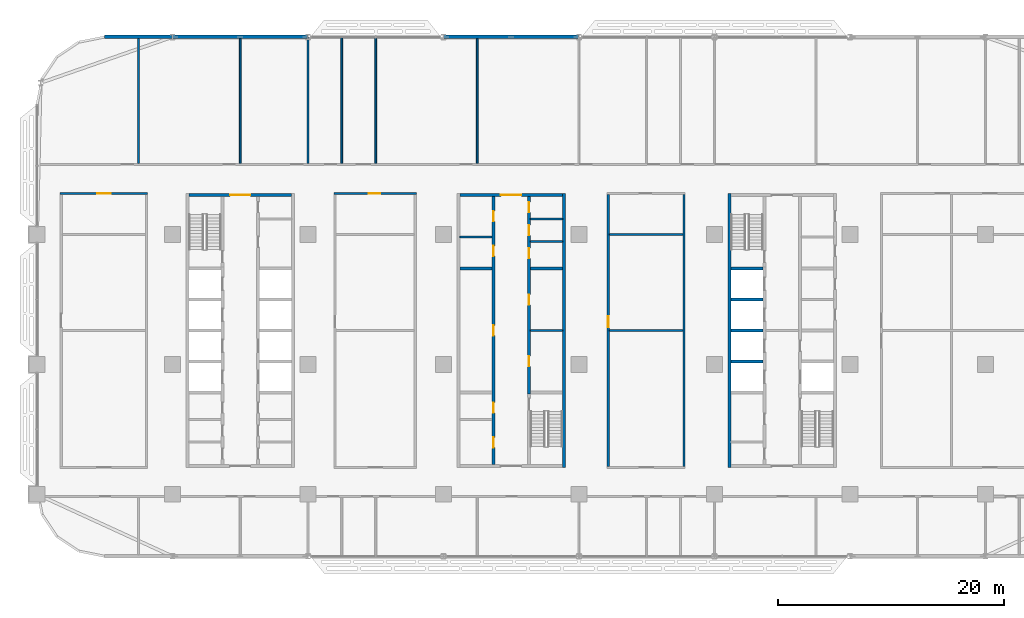
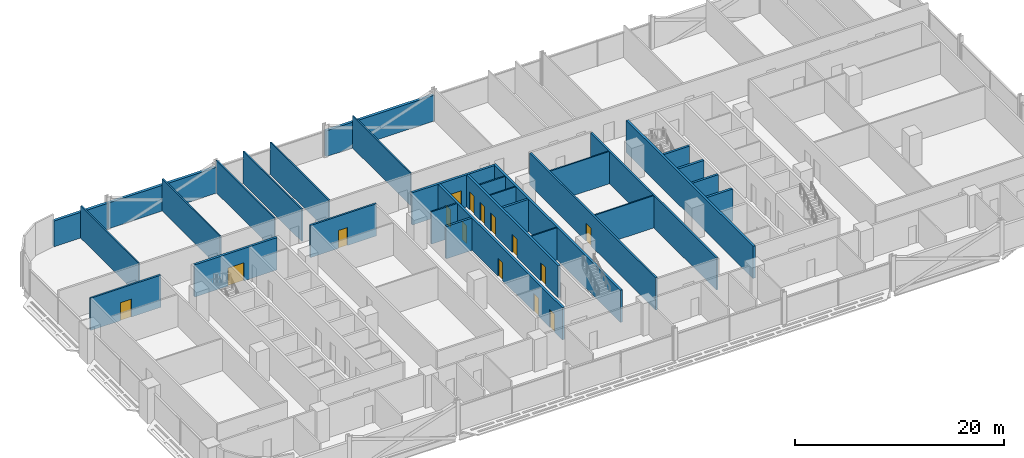
# One storey, part 14 of 29: 31 walls, 15 doors, 15 openings.
"""IFC4 building model written with IfcOpenShell, lengths in metres."""

from ifc_helpers import new_model, si_unit, direction, frame, frame_2d, origin, place, context, subcontext, project, spatial, rectangle, extrude, material, layer, layer_set, type_object, element, fill, save


model = new_model("IFC4")

# Units and contexts
model_context = context("Model", 3, precision=1e-05, world=origin(), true_north=direction((0.0, 1.0)))
body_context = subcontext(model_context, "Body", "Model", "MODEL_VIEW")
ifc_project = project(units=[si_unit("LENGTHUNIT", "METRE"), si_unit("AREAUNIT", "SQUARE_METRE"), si_unit("VOLUMEUNIT", "CUBIC_METRE"), si_unit("PLANEANGLEUNIT", "RADIAN"), si_unit("MASSUNIT", "GRAM", prefix="KILO")], contexts=[model_context])

# Site, building, storey
site_placement = place(None, origin())
site = spatial("IfcSite", under=ifc_project, at=site_placement, CompositionType="ELEMENT")
building_placement = place(site_placement, origin())
building = spatial("IfcBuilding", under=site, at=building_placement, Name="Mahtab Terrace Research Tower", CompositionType="ELEMENT")
storey_placement = place(building_placement, frame((0.0, 0.0, 109.39990234375)))
storey = spatial("IfcBuildingStorey", under=building, at=storey_placement, Name="L25", CompositionType="ELEMENT", Elevation=109.39990234375)

# Walls
ifc_material_1 = material(Name="Gypsum board partition")
ifc_layer_1 = layer(ifc_material_1, 0.14990234375)
ifc_layer_set_1 = layer_set([ifc_layer_1], Name="Core partition 150")
wall_type_1 = type_object("IfcWallType", Name="Core partition 150", PredefinedType="PARTITIONING", material=ifc_layer_set_1)
for number, where, z_axis, x_axis, name in (
    (1, (1.699951171875, 3.0, 0.0), (0.0, 0.0, 1.0), (1.0, 0.0, 0.0), "Core wall B pEL0"),
    (2, (-4.550048828125, 11.27490234375, 0.0), (0.0, 0.0, 1.0), (1.0, 0.0, 0.0), "Core wall B pWN828"),
    (3, (1.699951171875, 10.875, 0.0), (0.0, 0.0, 1.0), (1.0, 0.0, 0.0), "Core wall B pEN788"),
    (4, (1.699951171875, 12.875, 0.0), (0.0, 0.0, 1.0), (1.0, 0.0, 0.0), "Core wall B pEN988"),
):
    element("IfcWall", number, at=place(storey_placement, frame(where, z_axis=z_axis, x_axis=x_axis)), inside=storey, type_object=wall_type_1, Name=name, PredefinedType="PARTITIONING", context=body_context, shape_type="SweptSolid", body=[
        extrude(rectangle(XDim=2.85009765625, YDim=0.14990234375, at=frame_2d((1.425048828125, 0.0))), origin(), (0.0, 0.0, 1.0), 3.760009765625),
    ])

# Wall, opening, door
ifc_material_2 = material(Name="Concrete C70/85", Category="concrete")
ifc_layer_2 = layer(ifc_material_2, 0.25)
ifc_layer_set_2 = layer_set([ifc_layer_2], Name="Core wall 250")
wall_type_2 = type_object("IfcWallType", Name="Core wall 250", PredefinedType="SOLIDWALL", material=ifc_layer_set_2)
wall_1_placement = place(storey_placement, frame((-28.550048828125, 15.0, 0.0), z_axis=(0.0, 0.0, 1.0), x_axis=(1.0, 0.0, 0.0)))
wall_1 = element("IfcWall", 5, at=wall_1_placement, inside=storey, type_object=wall_type_2, Name="Core wall A endN", PredefinedType="SOLIDWALL", context=body_context, shape_type="SweptSolid", body=[
    extrude(rectangle(XDim=9.10009765625, YDim=0.25, at=frame_2d((4.550048828125, 0.0))), origin(), (0.0, 0.0, 1.0), 3.760009765625),
])
opening_1_placement = place(wall_1_placement, frame((3.64990234375, 0.0, 0.0)))
opening_1 = element("IfcOpeningElement", 6, at=opening_1_placement, cuts=wall_1, Name="Opening A-N1", PredefinedType="OPENING", context=body_context, shape_type="SweptSolid", body=[
    extrude(rectangle(XDim=1.800048828125, YDim=2.10009765625, at=frame_2d((0.89990234375, 1.050048828125))), frame((0.0, 0.135009765625, 0.0), z_axis=(0.0, -1.0, 0.0), x_axis=(1.0, 0.0, 0.0)), (0.0, 0.0, 1.0), 0.27001953125),
])
ifc_material_3 = material(Name="Steel fire door", Category="steel")
door_type_1 = type_object("IfcDoorType", Name="Lobby double door 1800x2100 1 HR", OperationType="DOUBLE_DOOR_SINGLE_SWING", PredefinedType="DOOR", material=ifc_material_3)
door_1_placement = place(opening_1_placement, origin())
door_1 = element("IfcDoor", 7, at=door_1_placement, inside=storey, type_object=door_type_1, Name="Core entrance door A N", OperationType="DOUBLE_DOOR_SINGLE_SWING", OverallHeight=2.10009765625, OverallWidth=1.800048828125, PredefinedType="DOOR", context=body_context, shape_type="SweptSolid", body=[
    extrude(rectangle(XDim=1.800048828125, YDim=2.10009765625, at=frame_2d((0.89990234375, 1.050048828125))), frame((0.0, 0.02490234375, 0.0), z_axis=(0.0, -1.0, 0.0), x_axis=(1.0, 0.0, 0.0)), (0.0, 0.0, 1.0), 0.050048828125),
])
fill(opening_1, door_1)

# Wall
wall_2_placement = place(storey_placement, frame((4.675048828125, -9.125, 0.0), z_axis=(0.0, 0.0, 1.0), x_axis=(0.0, 1.0, 0.0)))
element("IfcWall", 8, at=wall_2_placement, inside=storey, type_object=wall_type_2, Name="Core wall B outerE", PredefinedType="SOLIDWALL", context=body_context, shape_type="SweptSolid", body=[
    extrude(rectangle(XDim=24.25, YDim=0.25, at=frame_2d((12.125, 0.0))), origin(), (0.0, 0.0, 1.0), 3.760009765625),
])

# Wall, opening, door
wall_3_placement = place(storey_placement, frame((-4.550048828125, 15.0, 0.0), z_axis=(0.0, 0.0, 1.0), x_axis=(1.0, 0.0, 0.0)))
wall_3 = element("IfcWall", 9, at=wall_3_placement, inside=storey, type_object=wall_type_2, Name="Core wall B endN", PredefinedType="SOLIDWALL", context=body_context, shape_type="SweptSolid", body=[
    extrude(rectangle(XDim=9.10009765625, YDim=0.25, at=frame_2d((4.550048828125, 0.0))), origin(), (0.0, 0.0, 1.0), 3.760009765625),
])
opening_2_placement = place(wall_3_placement, frame((3.64990234375, 0.0, 0.0)))
opening_2 = element("IfcOpeningElement", 10, at=opening_2_placement, cuts=wall_3, Name="Opening B-N1", PredefinedType="OPENING", context=body_context, shape_type="SweptSolid", body=[
    extrude(rectangle(XDim=1.800048828125, YDim=2.10009765625, at=frame_2d((0.89990234375, 1.050048828125))), frame((0.0, 0.135009765625, 0.0), z_axis=(0.0, -1.0, 0.0), x_axis=(1.0, 0.0, 0.0)), (0.0, 0.0, 1.0), 0.27001953125),
])
door_2_placement = place(opening_2_placement, origin())
door_2 = element("IfcDoor", 11, at=door_2_placement, inside=storey, type_object=door_type_1, Name="Core entrance door B N", OperationType="DOUBLE_DOOR_SINGLE_SWING", OverallHeight=2.10009765625, OverallWidth=1.800048828125, PredefinedType="DOOR", context=body_context, shape_type="SweptSolid", body=[
    extrude(rectangle(XDim=1.800048828125, YDim=2.10009765625, at=frame_2d((0.89990234375, 1.050048828125))), frame((0.0, 0.02490234375, 0.0), z_axis=(0.0, -1.0, 0.0), x_axis=(1.0, 0.0, 0.0)), (0.0, 0.0, 1.0), 0.050048828125),
])
fill(opening_2, door_2)

# Wall, openings, doors
wall_4_placement = place(storey_placement, frame((-1.574951171875, -8.875, 0.0), z_axis=(0.0, 0.0, 1.0), x_axis=(0.0, 1.0, 0.0)))
wall_4 = element("IfcWall", 12, at=wall_4_placement, inside=storey, type_object=wall_type_2, Name="Core wall B innerWSLN", PredefinedType="SOLIDWALL", context=body_context, shape_type="SweptSolid", body=[
    extrude(rectangle(XDim=23.75, YDim=0.25, at=frame_2d((11.875, 0.0))), origin(), (0.0, 0.0, 1.0), 3.760009765625),
])
opening_3_placement = place(wall_4_placement, frame((11.425048828125, 0.0, 0.0)))
opening_3 = element("IfcOpeningElement", 13, at=opening_3_placement, cuts=wall_4, Name="Opening B-R1", PredefinedType="OPENING", context=body_context, shape_type="SweptSolid", body=[
    extrude(rectangle(XDim=0.89990234375, YDim=2.10009765625, at=frame_2d((0.449951171875, 1.050048828125))), frame((0.0, 0.135009765625, 0.0), z_axis=(0.0, -1.0, 0.0), x_axis=(1.0, 0.0, 0.0)), (0.0, 0.0, 1.0), 0.27001953125),
])
opening_4_placement = place(wall_4_placement, frame((1.512451171875, 0.0, 0.0)))
opening_4 = element("IfcOpeningElement", 14, at=opening_4_placement, cuts=wall_4, Name="Opening B-R4", PredefinedType="OPENING", context=body_context, shape_type="SweptSolid", body=[
    extrude(rectangle(XDim=0.89990234375, YDim=2.10009765625, at=frame_2d((0.449951171875, 1.050048828125))), frame((0.0, 0.135009765625, 0.0), z_axis=(0.0, -1.0, 0.0), x_axis=(1.0, 0.0, 0.0)), (0.0, 0.0, 1.0), 0.27001953125),
])
opening_5_placement = place(wall_4_placement, frame((4.58740234375, 0.0, 0.0)))
opening_5 = element("IfcOpeningElement", 15, at=opening_5_placement, cuts=wall_4, Name="Opening B-R5", PredefinedType="OPENING", context=body_context, shape_type="SweptSolid", body=[
    extrude(rectangle(XDim=0.89990234375, YDim=2.10009765625, at=frame_2d((0.449951171875, 1.050048828125))), frame((0.0, 0.135009765625, 0.0), z_axis=(0.0, -1.0, 0.0), x_axis=(1.0, 0.0, 0.0)), (0.0, 0.0, 1.0), 0.27001953125),
])
opening_6_placement = place(wall_4_placement, frame((18.46240234375, 0.0, 0.0)))
opening_6 = element("IfcOpeningElement", 16, at=opening_6_placement, cuts=wall_4, Name="Opening B-R6", PredefinedType="OPENING", context=body_context, shape_type="SweptSolid", body=[
    extrude(rectangle(XDim=0.89990234375, YDim=2.10009765625, at=frame_2d((0.449951171875, 1.050048828125))), frame((0.0, 0.135009765625, 0.0), z_axis=(0.0, -1.0, 0.0), x_axis=(1.0, 0.0, 0.0)), (0.0, 0.0, 1.0), 0.27001953125),
])
opening_7_placement = place(wall_4_placement, frame((21.53759765625, 0.0, 0.0)))
opening_7 = element("IfcOpeningElement", 17, at=opening_7_placement, cuts=wall_4, Name="Opening B-R7", PredefinedType="OPENING", context=body_context, shape_type="SweptSolid", body=[
    extrude(rectangle(XDim=0.89990234375, YDim=2.10009765625, at=frame_2d((0.449951171875, 1.050048828125))), frame((0.0, 0.135009765625, 0.0), z_axis=(0.0, -1.0, 0.0), x_axis=(1.0, 0.0, 0.0)), (0.0, 0.0, 1.0), 0.27001953125),
])
door_type_2 = type_object("IfcDoorType", Name="Room door 900x2100 1 HR", OperationType="NOTDEFINED", PredefinedType="DOOR", material=ifc_material_3)
door_3_placement = place(opening_3_placement, origin())
door_3 = element("IfcDoor", 18, at=door_3_placement, inside=storey, type_object=door_type_2, Name="Plant room door", OperationType="SINGLE_SWING_LEFT", OverallHeight=2.10009765625, OverallWidth=0.89990234375, PredefinedType="DOOR", context=body_context, shape_type="SweptSolid", body=[
    extrude(rectangle(XDim=0.89990234375, YDim=2.10009765625, at=frame_2d((0.449951171875, 1.050048828125))), frame((0.0, 0.02490234375, 0.0), z_axis=(0.0, -1.0, 0.0), x_axis=(1.0, 0.0, 0.0)), (0.0, 0.0, 1.0), 0.050048828125),
])
fill(opening_3, door_3)
door_4_placement = place(opening_4_placement, origin())
door_4 = element("IfcDoor", 19, at=door_4_placement, inside=storey, type_object=door_type_2, Name="IT equipment room door", OperationType="SINGLE_SWING_RIGHT", OverallHeight=2.10009765625, OverallWidth=0.89990234375, PredefinedType="DOOR", context=body_context, shape_type="SweptSolid", body=[
    extrude(rectangle(XDim=0.89990234375, YDim=2.10009765625, at=frame_2d((0.449951171875, 1.050048828125))), frame((0.0, 0.02490234375, 0.0), z_axis=(0.0, -1.0, 0.0), x_axis=(1.0, 0.0, 0.0)), (0.0, 0.0, 1.0), 0.050048828125),
])
fill(opening_4, door_4)
door_5_placement = place(opening_5_placement, origin())
door_5 = element("IfcDoor", 20, at=door_5_placement, inside=storey, type_object=door_type_2, Name="Electrical riser room door", OperationType="SINGLE_SWING_LEFT", OverallHeight=2.10009765625, OverallWidth=0.89990234375, PredefinedType="DOOR", context=body_context, shape_type="SweptSolid", body=[
    extrude(rectangle(XDim=0.89990234375, YDim=2.10009765625, at=frame_2d((0.449951171875, 1.050048828125))), frame((0.0, 0.02490234375, 0.0), z_axis=(0.0, -1.0, 0.0), x_axis=(1.0, 0.0, 0.0)), (0.0, 0.0, 1.0), 0.050048828125),
])
fill(opening_5, door_5)
door_6_placement = place(opening_6_placement, origin())
door_6 = element("IfcDoor", 21, at=door_6_placement, inside=storey, type_object=door_type_2, Name="Mechanical riser room door", OperationType="SINGLE_SWING_RIGHT", OverallHeight=2.10009765625, OverallWidth=0.89990234375, PredefinedType="DOOR", context=body_context, shape_type="SweptSolid", body=[
    extrude(rectangle(XDim=0.89990234375, YDim=2.10009765625, at=frame_2d((0.449951171875, 1.050048828125))), frame((0.0, 0.02490234375, 0.0), z_axis=(0.0, -1.0, 0.0), x_axis=(1.0, 0.0, 0.0)), (0.0, 0.0, 1.0), 0.050048828125),
])
fill(opening_6, door_6)
door_7_placement = place(opening_7_placement, origin())
door_7 = element("IfcDoor", 22, at=door_7_placement, inside=storey, type_object=door_type_2, Name="Chemical store door", OperationType="SINGLE_SWING_LEFT", OverallHeight=2.10009765625, OverallWidth=0.89990234375, PredefinedType="DOOR", context=body_context, shape_type="SweptSolid", body=[
    extrude(rectangle(XDim=0.89990234375, YDim=2.10009765625, at=frame_2d((0.449951171875, 1.050048828125))), frame((0.0, 0.02490234375, 0.0), z_axis=(0.0, -1.0, 0.0), x_axis=(1.0, 0.0, 0.0)), (0.0, 0.0, 1.0), 0.050048828125),
])
fill(opening_7, door_7)

wall_5_placement = place(storey_placement, frame((1.574951171875, 14.875, 0.0), z_axis=(0.0, 0.0, 1.0), x_axis=(0.0, -1.0, 0.0)))
wall_5 = element("IfcWall", 23, at=wall_5_placement, inside=storey, type_object=wall_type_2, Name="Core wall B innerELN", PredefinedType="SOLIDWALL", context=body_context, shape_type="SweptSolid", body=[
    extrude(rectangle(XDim=17.5, YDim=0.25, at=frame_2d((8.75, 0.0))), origin(), (0.0, 0.0, 1.0), 3.760009765625),
])
opening_8_placement = place(wall_5_placement, frame((14.14990234375, 0.0, 0.0)))
opening_8 = element("IfcOpeningElement", 24, at=opening_8_placement, cuts=wall_5, Name="Opening B-R2", PredefinedType="OPENING", context=body_context, shape_type="SweptSolid", body=[
    extrude(rectangle(XDim=0.89990234375, YDim=2.10009765625, at=frame_2d((0.449951171875, 1.050048828125))), frame((0.0, 0.135009765625, 0.0), z_axis=(0.0, -1.0, 0.0), x_axis=(1.0, 0.0, 0.0)), (0.0, 0.0, 1.0), 0.27001953125),
])
opening_9_placement = place(wall_5_placement, frame((8.699951171875, 0.0, 0.0)))
opening_9 = element("IfcOpeningElement", 25, at=opening_9_placement, cuts=wall_5, Name="Opening B-R3", PredefinedType="OPENING", context=body_context, shape_type="SweptSolid", body=[
    extrude(rectangle(XDim=0.89990234375, YDim=2.10009765625, at=frame_2d((0.449951171875, 1.050048828125))), frame((0.0, 0.135009765625, 0.0), z_axis=(0.0, -1.0, 0.0), x_axis=(1.0, 0.0, 0.0)), (0.0, 0.0, 1.0), 0.27001953125),
])
opening_10_placement = place(wall_5_placement, frame((4.58740234375, 0.0, 0.0)))
opening_10 = element("IfcOpeningElement", 26, at=opening_10_placement, cuts=wall_5, Name="Opening B-R8", PredefinedType="OPENING", context=body_context, shape_type="SweptSolid", body=[
    extrude(rectangle(XDim=0.89990234375, YDim=2.10009765625, at=frame_2d((0.449951171875, 1.050048828125))), frame((0.0, 0.135009765625, 0.0), z_axis=(0.0, -1.0, 0.0), x_axis=(1.0, 0.0, 0.0)), (0.0, 0.0, 1.0), 0.27001953125),
])
opening_11_placement = place(wall_5_placement, frame((2.550048828125, 0.0, 0.0)))
opening_11 = element("IfcOpeningElement", 27, at=opening_11_placement, cuts=wall_5, Name="Opening B-R9", PredefinedType="OPENING", context=body_context, shape_type="SweptSolid", body=[
    extrude(rectangle(XDim=0.89990234375, YDim=2.10009765625, at=frame_2d((0.449951171875, 1.050048828125))), frame((0.0, 0.135009765625, 0.0), z_axis=(0.0, -1.0, 0.0), x_axis=(1.0, 0.0, 0.0)), (0.0, 0.0, 1.0), 0.27001953125),
])
opening_12_placement = place(wall_5_placement, frame((0.512451171875, 0.0, 0.0)))
opening_12 = element("IfcOpeningElement", 28, at=opening_12_placement, cuts=wall_5, Name="Opening B-R10", PredefinedType="OPENING", context=body_context, shape_type="SweptSolid", body=[
    extrude(rectangle(XDim=0.89990234375, YDim=2.10009765625, at=frame_2d((0.449951171875, 1.050048828125))), frame((0.0, 0.135009765625, 0.0), z_axis=(0.0, -1.0, 0.0), x_axis=(1.0, 0.0, 0.0)), (0.0, 0.0, 1.0), 0.27001953125),
])
door_8_placement = place(opening_8_placement, origin())
door_8 = element("IfcDoor", 29, at=door_8_placement, inside=storey, type_object=door_type_2, Name="Document store door", OperationType="SINGLE_SWING_RIGHT", OverallHeight=2.10009765625, OverallWidth=0.89990234375, PredefinedType="DOOR", context=body_context, shape_type="SweptSolid", body=[
    extrude(rectangle(XDim=0.89990234375, YDim=2.10009765625, at=frame_2d((0.449951171875, 1.050048828125))), frame((0.0, 0.02490234375, 0.0), z_axis=(0.0, -1.0, 0.0), x_axis=(1.0, 0.0, 0.0)), (0.0, 0.0, 1.0), 0.050048828125),
])
fill(opening_8, door_8)
door_9_placement = place(opening_9_placement, origin())
door_9 = element("IfcDoor", 30, at=door_9_placement, inside=storey, type_object=door_type_2, Name="IT equipment room door", OperationType="SINGLE_SWING_LEFT", OverallHeight=2.10009765625, OverallWidth=0.89990234375, PredefinedType="DOOR", context=body_context, shape_type="SweptSolid", body=[
    extrude(rectangle(XDim=0.89990234375, YDim=2.10009765625, at=frame_2d((0.449951171875, 1.050048828125))), frame((0.0, 0.02490234375, 0.0), z_axis=(0.0, -1.0, 0.0), x_axis=(1.0, 0.0, 0.0)), (0.0, 0.0, 1.0), 0.050048828125),
])
fill(opening_9, door_9)
door_10_placement = place(opening_10_placement, origin())
door_10 = element("IfcDoor", 31, at=door_10_placement, inside=storey, type_object=door_type_2, Name="Male WC door", OperationType="SINGLE_SWING_RIGHT", OverallHeight=2.10009765625, OverallWidth=0.89990234375, PredefinedType="DOOR", context=body_context, shape_type="SweptSolid", body=[
    extrude(rectangle(XDim=0.89990234375, YDim=2.10009765625, at=frame_2d((0.449951171875, 1.050048828125))), frame((0.0, 0.02490234375, 0.0), z_axis=(0.0, -1.0, 0.0), x_axis=(1.0, 0.0, 0.0)), (0.0, 0.0, 1.0), 0.050048828125),
])
fill(opening_10, door_10)
door_11_placement = place(opening_11_placement, origin())
door_11 = element("IfcDoor", 32, at=door_11_placement, inside=storey, type_object=door_type_2, Name="Female WC door", OperationType="SINGLE_SWING_LEFT", OverallHeight=2.10009765625, OverallWidth=0.89990234375, PredefinedType="DOOR", context=body_context, shape_type="SweptSolid", body=[
    extrude(rectangle(XDim=0.89990234375, YDim=2.10009765625, at=frame_2d((0.449951171875, 1.050048828125))), frame((0.0, 0.02490234375, 0.0), z_axis=(0.0, -1.0, 0.0), x_axis=(1.0, 0.0, 0.0)), (0.0, 0.0, 1.0), 0.050048828125),
])
fill(opening_11, door_11)
door_12_placement = place(opening_12_placement, origin())
door_12 = element("IfcDoor", 33, at=door_12_placement, inside=storey, type_object=door_type_2, Name="Accessible WC door", OperationType="SINGLE_SWING_RIGHT", OverallHeight=2.10009765625, OverallWidth=0.89990234375, PredefinedType="DOOR", context=body_context, shape_type="SweptSolid", body=[
    extrude(rectangle(XDim=0.89990234375, YDim=2.10009765625, at=frame_2d((0.449951171875, 1.050048828125))), frame((0.0, 0.02490234375, 0.0), z_axis=(0.0, -1.0, 0.0), x_axis=(1.0, 0.0, 0.0)), (0.0, 0.0, 1.0), 0.050048828125),
])
fill(opening_12, door_12)

# Walls
for number, where, z_axis, x_axis, name in (
    (34, (-4.550048828125, 8.5, 0.0), (0.0, 0.0, 1.0), (1.0, 0.0, 0.0), "Core wall B divW4"),
    (35, (1.699951171875, 8.5, 0.0), (0.0, 0.0, 1.0), (1.0, 0.0, 0.0), "Core wall B divE4"),
):
    element("IfcWall", number, at=place(storey_placement, frame(where, z_axis=z_axis, x_axis=x_axis)), inside=storey, type_object=wall_type_2, Name=name, PredefinedType="SOLIDWALL", context=body_context, shape_type="SweptSolid", body=[
        extrude(rectangle(XDim=2.85009765625, YDim=0.25, at=frame_2d((1.425048828125, 0.0))), origin(), (0.0, 0.0, 1.0), 3.760009765625),
    ])
wall_6_placement = place(storey_placement, frame((19.324951171875, 15.125, 0.0), z_axis=(0.0, 0.0, 1.0), x_axis=(0.0, -1.0, 0.0)))
element("IfcWall", 36, at=wall_6_placement, inside=storey, type_object=wall_type_2, Name="Core wall C outerW", PredefinedType="SOLIDWALL", context=body_context, shape_type="SweptSolid", body=[
    extrude(rectangle(XDim=24.25, YDim=0.25, at=frame_2d((12.125, 0.0))), origin(), (0.0, 0.0, 1.0), 3.760009765625),
])
for number, where, z_axis, x_axis, name in (
    (37, (19.449951171875, 0.25, 0.0), (0.0, 0.0, 1.0), (1.0, 0.0, 0.0), "Core wall C divW1"),
    (38, (19.449951171875, 3.0, 0.0), (0.0, 0.0, 1.0), (1.0, 0.0, 0.0), "Core wall C divW2"),
    (39, (19.449951171875, 5.75, 0.0), (0.0, 0.0, 1.0), (1.0, 0.0, 0.0), "Core wall C divW3"),
    (40, (19.449951171875, 8.5, 0.0), (0.0, 0.0, 1.0), (1.0, 0.0, 0.0), "Core wall C divW4"),
):
    element("IfcWall", number, at=place(storey_placement, frame(where, z_axis=z_axis, x_axis=x_axis)), inside=storey, type_object=wall_type_2, Name=name, PredefinedType="SOLIDWALL", context=body_context, shape_type="SweptSolid", body=[
        extrude(rectangle(XDim=2.85009765625, YDim=0.25, at=frame_2d((1.425048828125, 0.0))), origin(), (0.0, 0.0, 1.0), 3.760009765625),
    ])
ifc_material_4 = material(Name="Black aluminium cladding panel", Category="aluminium")
ifc_layer_3 = layer(ifc_material_4, 0.300048828125)
ifc_layer_set_3 = layer_set([ifc_layer_3], Name="Opaque facade wall 300")
wall_type_3 = type_object("IfcWallType", Name="Opaque facade wall 300", PredefinedType="NOTDEFINED", material=ifc_layer_set_3)
for number, where, z_axis, x_axis, name in (
    (41, (5.97900390625, 29.0, 0.0), (0.0, 0.0, 1.0), (-1.0, 0.0, 0.0), "Opaque facade wall L25 N7"),
    (42, (-18.02099609375, 29.0, 0.0), (0.0, 0.0, 1.0), (-1.0, 0.0, 0.0), "Opaque facade wall L25 N9"),
):
    element("IfcWall", number, at=place(storey_placement, frame(where, z_axis=z_axis, x_axis=x_axis)), inside=storey, type_object=wall_type_3, Name=name, PredefinedType="NOTDEFINED", context=body_context, shape_type="SweptSolid", body=[
        extrude(rectangle(XDim=11.9580078125, YDim=0.300048828125, at=frame_2d((5.97900390625, 0.0))), origin(), (0.0, 0.0, 1.0), 3.003173828125),
    ])
wall_7_placement = place(storey_placement, frame((-30.02099609375, 29.0, 0.0), z_axis=(0.0, 0.0, 1.0), x_axis=(-1.0, 0.0, 0.0)))
element("IfcWall", 43, at=wall_7_placement, inside=storey, type_object=wall_type_3, Name="Opaque facade wall L25 N10", PredefinedType="NOTDEFINED", context=body_context, shape_type="SweptSolid", body=[
    extrude(rectangle(XDim=5.97900390625, YDim=0.300048828125, at=frame_2d((2.989501953125, 0.0))), origin(), (0.0, 0.0, 1.0), 3.003173828125),
])

# Wall, opening, door
ifc_material_5 = material(Name="Gypsum board corridor wall on steel studs", Category="steel")
ifc_layer_4 = layer(ifc_material_5, 0.199951171875)
ifc_layer_set_4 = layer_set([ifc_layer_4], Name="WALL CORRIDOR 200")
wall_type_4 = type_object("IfcWallType", Name="WALL CORRIDOR 200", PredefinedType="PARTITIONING", material=ifc_layer_set_4)
wall_8_placement = place(storey_placement, frame((-39.949951171875, 15.125, 0.0), z_axis=(0.0, 0.0, 1.0), x_axis=(1.0, 0.0, 0.0)))
wall_8 = element("IfcWall", 44, at=wall_8_placement, inside=storey, type_object=wall_type_4, Name="L25-W022", PredefinedType="PARTITIONING", context=body_context, shape_type="SweptSolid", body=[
    extrude(rectangle(XDim=7.75, YDim=0.199951171875, at=frame_2d((3.875, 0.0))), origin(), (0.0, 0.0, 1.0), 3.760009765625),
])
opening_13_placement = place(wall_8_placement, frame((3.300048828125, 0.0, 0.0)))
opening_13 = element("IfcOpeningElement", 45, at=opening_13_placement, cuts=wall_8, Name="Opening L25-127", PredefinedType="OPENING", context=body_context, shape_type="SweptSolid", body=[
    extrude(rectangle(XDim=1.199951171875, YDim=2.10009765625, at=frame_2d((0.60009765625, 1.050048828125))), frame((0.0, 0.10986328125, 0.0), z_axis=(0.0, -1.0, 0.0), x_axis=(1.0, 0.0, 0.0)), (0.0, 0.0, 1.0), 0.219970703125),
])
ifc_material_6 = material(Name="Timber door leaf in steel frame", Category="steel")
door_type_3 = type_object("IfcDoorType", Name="DOOR 1200X2100 FD30S", OperationType="SINGLE_SWING_LEFT", PredefinedType="DOOR", material=ifc_material_6)
door_13_placement = place(opening_13_placement, origin())
door_13 = element("IfcDoor", 46, at=door_13_placement, inside=storey, type_object=door_type_3, Name="Door L25-127", OperationType="SINGLE_SWING_LEFT", OverallHeight=2.10009765625, OverallWidth=1.199951171875, PredefinedType="DOOR", context=body_context, shape_type="SweptSolid", body=[
    extrude(rectangle(XDim=1.199951171875, YDim=2.10009765625, at=frame_2d((0.60009765625, 1.050048828125))), frame((0.0, 0.02490234375, 0.0), z_axis=(0.0, -1.0, 0.0), x_axis=(1.0, 0.0, 0.0)), (0.0, 0.0, 1.0), 0.050048828125),
])
fill(opening_13, door_13)

wall_9_placement = place(storey_placement, frame((-15.699951171875, 15.125, 0.0), z_axis=(0.0, 0.0, 1.0), x_axis=(1.0, 0.0, 0.0)))
wall_9 = element("IfcWall", 47, at=wall_9_placement, inside=storey, type_object=wall_type_4, Name="L25-W023", PredefinedType="PARTITIONING", context=body_context, shape_type="SweptSolid", body=[
    extrude(rectangle(XDim=7.300048828125, YDim=0.199951171875, at=frame_2d((3.64990234375, 0.0))), origin(), (0.0, 0.0, 1.0), 3.760009765625),
])
opening_14_placement = place(wall_9_placement, frame((3.10009765625, 0.0, 0.0)))
opening_14 = element("IfcOpeningElement", 48, at=opening_14_placement, cuts=wall_9, Name="Opening L25-128", PredefinedType="OPENING", context=body_context, shape_type="SweptSolid", body=[
    extrude(rectangle(XDim=1.0, YDim=2.10009765625, at=frame_2d((0.5, 1.050048828125))), frame((0.0, 0.10986328125, 0.0), z_axis=(0.0, -1.0, 0.0), x_axis=(1.0, 0.0, 0.0)), (0.0, 0.0, 1.0), 0.219970703125),
])
door_type_4 = type_object("IfcDoorType", Name="DOOR 1000X2100 FD30S", OperationType="SINGLE_SWING_LEFT", PredefinedType="DOOR", material=ifc_material_6)
door_14_placement = place(opening_14_placement, origin())
door_14 = element("IfcDoor", 49, at=door_14_placement, inside=storey, type_object=door_type_4, Name="Door L25-128", OperationType="SINGLE_SWING_RIGHT", OverallHeight=2.10009765625, OverallWidth=1.0, PredefinedType="DOOR", context=body_context, shape_type="SweptSolid", body=[
    extrude(rectangle(XDim=1.0, YDim=2.10009765625, at=frame_2d((0.5, 1.050048828125))), frame((0.0, 0.02490234375, 0.0), z_axis=(0.0, -1.0, 0.0), x_axis=(1.0, 0.0, 0.0)), (0.0, 0.0, 1.0), 0.050048828125),
])
fill(opening_14, door_14)

wall_10_placement = place(storey_placement, frame((8.60009765625, -9.02490234375, 0.0), z_axis=(0.0, 0.0, 1.0), x_axis=(0.0, 1.0, 0.0)))
wall_10 = element("IfcWall", 50, at=wall_10_placement, inside=storey, type_object=wall_type_4, Name="L25-W045", PredefinedType="PARTITIONING", context=body_context, shape_type="SweptSolid", body=[
    extrude(rectangle(XDim=24.0498046875, YDim=0.199951171875, at=frame_2d((12.02490234375, 0.0))), origin(), (0.0, 0.0, 1.0), 3.760009765625),
])
opening_15_placement = place(wall_10_placement, frame((12.300048828125, 0.0, 0.0)))
opening_15 = element("IfcOpeningElement", 51, at=opening_15_placement, cuts=wall_10, Name="Opening L25-124", PredefinedType="OPENING", context=body_context, shape_type="SweptSolid", body=[
    extrude(rectangle(XDim=1.0, YDim=2.10009765625, at=frame_2d((0.5, 1.050048828125))), frame((0.0, 0.10986328125, 0.0), z_axis=(0.0, -1.0, 0.0), x_axis=(1.0, 0.0, 0.0)), (0.0, 0.0, 1.0), 0.219970703125),
])
door_15_placement = place(opening_15_placement, origin())
door_15 = element("IfcDoor", 52, at=door_15_placement, inside=storey, type_object=door_type_4, Name="Door L25-124", OperationType="SINGLE_SWING_LEFT", OverallHeight=2.10009765625, OverallWidth=1.0, PredefinedType="DOOR", context=body_context, shape_type="SweptSolid", body=[
    extrude(rectangle(XDim=1.0, YDim=2.10009765625, at=frame_2d((0.5, 1.050048828125))), frame((0.0, 0.02490234375, 0.0), z_axis=(0.0, -1.0, 0.0), x_axis=(1.0, 0.0, 0.0)), (0.0, 0.0, 1.0), 0.050048828125),
])
fill(opening_15, door_15)

# Walls
wall_11_placement = place(storey_placement, frame((15.300048828125, -9.02490234375, 0.0), z_axis=(0.0, 0.0, 1.0), x_axis=(0.0, 1.0, 0.0)))
element("IfcWall", 53, at=wall_11_placement, inside=storey, type_object=wall_type_4, Name="L25-W050", PredefinedType="PARTITIONING", context=body_context, shape_type="SweptSolid", body=[
    extrude(rectangle(XDim=24.0498046875, YDim=0.199951171875, at=frame_2d((12.02490234375, 0.0))), origin(), (0.0, 0.0, 1.0), 3.760009765625),
])
ifc_material_7 = material(Name="Gypsum board partition on steel studs", Category="steel")
ifc_layer_5 = layer(ifc_material_7, 0.14990234375)
ifc_layer_set_5 = layer_set([ifc_layer_5], Name="WALL PARTITION 150")
wall_type_5 = type_object("IfcWallType", Name="WALL PARTITION 150", PredefinedType="PARTITIONING", material=ifc_layer_set_5)
for number, where, z_axis, x_axis, name in (
    (54, (8.699951171875, 3.0, 0.0), (0.0, 0.0, 1.0), (1.0, 0.0, 0.0), "L25-W015"),
    (55, (8.699951171875, 11.5, 0.0), (0.0, 0.0, 1.0), (1.0, 0.0, 0.0), "L25-W019"),
):
    element("IfcWall", number, at=place(storey_placement, frame(where, z_axis=z_axis, x_axis=x_axis)), inside=storey, type_object=wall_type_5, Name=name, PredefinedType="PARTITIONING", context=body_context, shape_type="SweptSolid", body=[
        extrude(rectangle(XDim=6.5, YDim=0.14990234375, at=frame_2d((3.25, 0.0))), origin(), (0.0, 0.0, 1.0), 3.760009765625),
    ])
for number, where, z_axis, x_axis, name in (
    (56, (-33.0, 17.800048828125, 0.0), (0.0, 0.0, 1.0), (0.0, 1.0, 0.0), "L25-W029"),
    (57, (-24.0, 17.800048828125, 0.0), (0.0, 0.0, 1.0), (0.0, 1.0, 0.0), "L25-W032"),
):
    element("IfcWall", number, at=place(storey_placement, frame(where, z_axis=z_axis, x_axis=x_axis)), inside=storey, type_object=wall_type_5, Name=name, PredefinedType="PARTITIONING", context=body_context, shape_type="SweptSolid", body=[
        extrude(rectangle(XDim=11.050048828125, YDim=0.14990234375, at=frame_2d((5.52490234375, 0.0))), origin(), (0.0, 0.0, 1.0), 3.760009765625),
    ])
for number, where, z_axis, x_axis, name in (
    (58, (-18.0, 17.800048828125, 0.0), (0.0, 0.0, 1.0), (0.0, 1.0, 0.0), "L25-W034"),
    (59, (-15.0, 17.800048828125, 0.0), (0.0, 0.0, 1.0), (0.0, 1.0, 0.0), "L25-W037"),
    (60, (-12.0, 17.800048828125, 0.0), (0.0, 0.0, 1.0), (0.0, 1.0, 0.0), "L25-W039"),
):
    element("IfcWall", number, at=place(storey_placement, frame(where, z_axis=z_axis, x_axis=x_axis)), inside=storey, type_object=wall_type_5, Name=name, PredefinedType="PARTITIONING", context=body_context, shape_type="SweptSolid", body=[
        extrude(rectangle(XDim=11.175048828125, YDim=0.14990234375, at=frame_2d((5.58740234375, 0.0))), origin(), (0.0, 0.0, 1.0), 3.760009765625),
    ])
wall_12_placement = place(storey_placement, frame((-3.0, 17.800048828125, 0.0), z_axis=(0.0, 0.0, 1.0), x_axis=(0.0, 1.0, 0.0)))
element("IfcWall", 61, at=wall_12_placement, inside=storey, type_object=wall_type_5, Name="L25-W042", PredefinedType="PARTITIONING", context=body_context, shape_type="SweptSolid", body=[
    extrude(rectangle(XDim=11.050048828125, YDim=0.14990234375, at=frame_2d((5.52490234375, 0.0))), origin(), (0.0, 0.0, 1.0), 3.760009765625),
])

save(model, "model.ifc")
